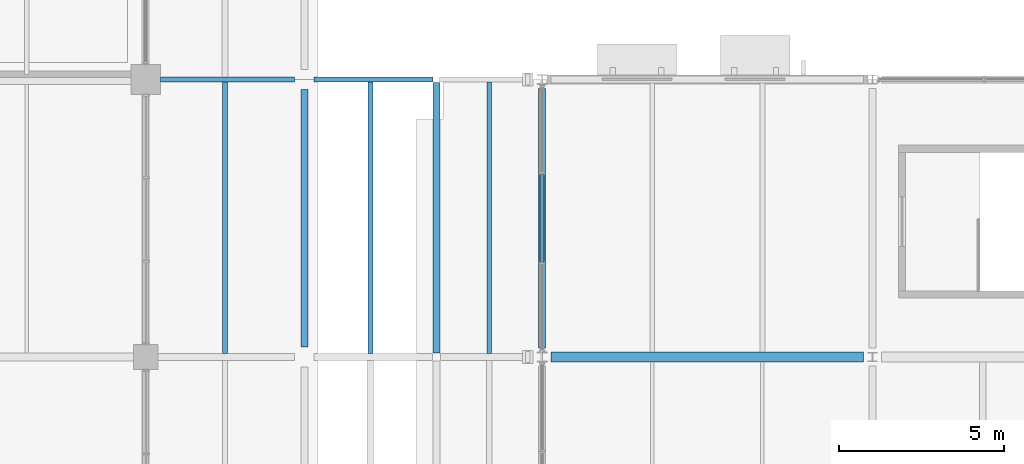
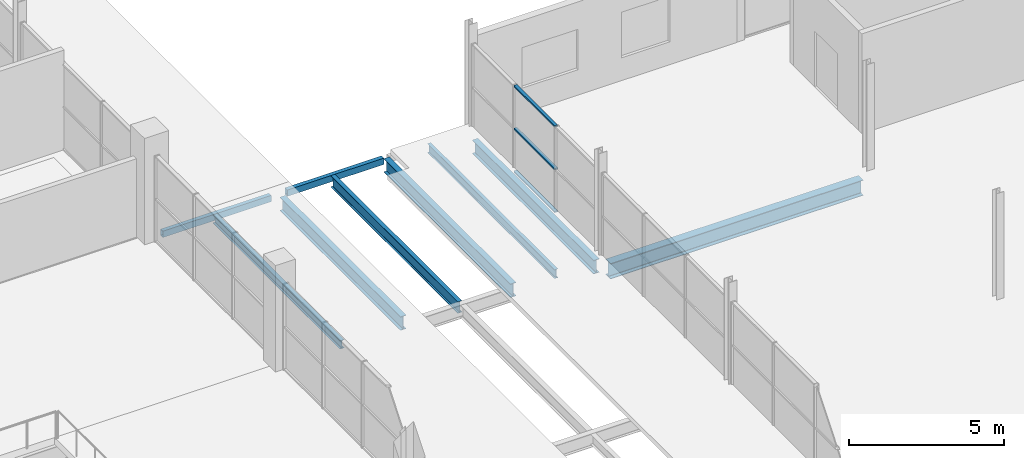
# One storey, part 114 of 161: 9 beams, 3 members, 1 element without a shape of its own.
"""IFC4 building model written with IfcOpenShell, lengths in metres."""

from ifc_helpers import new_model, si_unit, direction, frame, origin, origin_2d, place, context, subcontext, project, spatial, hollow_rectangle, i_section, extrude, material, material_profile, profile_set, type_object, element, aggregate, save


model = new_model("IFC4")

# Units and contexts
model_context = context("Model", 3, precision=1e-05, world=origin(), true_north=direction((0.0, 1.0)))
body_context = subcontext(model_context, "Body", "Model", "MODEL_VIEW")
ifc_project = project(units=[si_unit("LENGTHUNIT", "METRE"), si_unit("AREAUNIT", "SQUARE_METRE"), si_unit("VOLUMEUNIT", "CUBIC_METRE"), si_unit("PLANEANGLEUNIT", "RADIAN"), si_unit("MASSUNIT", "GRAM", prefix="KILO"), si_unit("THERMODYNAMICTEMPERATUREUNIT", "KELVIN")], contexts=[model_context])

# Site, building, storey
site_placement = place(None, origin())
site = spatial("IfcSite", under=ifc_project, at=site_placement, CompositionType="ELEMENT")
building_placement = place(site_placement, origin())
building = spatial("IfcBuilding", under=site, at=building_placement, Name="Nduvali Passage Aquatics Centre", CompositionType="ELEMENT")
storey_placement = place(building_placement, frame((0.0, 0.0, 4.800048828125)))
storey = spatial("IfcBuildingStorey", under=building, at=storey_placement, Name="L01", CompositionType="ELEMENT", Elevation=4.800048828125)

# Curtain wall, members
ifc_material_1 = material(Name="Aluminium EN AW-6063 T6", Category="aluminium")
curtain_wall_type = type_object("IfcCurtainWallType", Name="ENV-CW-FOYR", PredefinedType="NOTDEFINED", material=ifc_material_1)
curtain_wall_placement = place(storey_placement, origin())
curtain_wall = element("IfcCurtainWall", 1, at=curtain_wall_placement, inside=storey, type_object=curtain_wall_type, Name="L01 Passage Foyer End Upper CW 079", PredefinedType="NOTDEFINED")
ifc_material_profile_1 = material_profile(ifc_material_1, hollow_rectangle(XDim=0.1201171875, YDim=0.06005859375, WallThickness=0.00390625, at=origin_2d()), Name="ALU TRANSOM 120x60x4")
ifc_profile_set_1 = profile_set([ifc_material_profile_1], Name="Aluminium EN AW-6063 T6")
member_type = type_object("IfcMemberType", Name="ENV-MEM-TRN60", PredefinedType="USERDEFINED", material=ifc_profile_set_1)
member_1_placement = place(storey_placement, frame((138.0, 86.8798828125, 0.030029296875), z_axis=(0.0, 1.0, 0.0), x_axis=(-1.0, 0.0, 0.0)))
member_1 = element("IfcMember", 2, at=member_1_placement, type_object=member_type, Name="Passage Foyer End Upper CW Transom B2-R0", ObjectType="TRANSOM", PredefinedType="USERDEFINED", context=body_context, shape_type="SweptSolid", body=[
    extrude(hollow_rectangle(XDim=0.1201171875, YDim=0.06005859375, WallThickness=0.00390625, at=origin_2d()), origin(), (0.0, 0.0, 1.0), 2.64013671875),
])
member_2_placement = place(storey_placement, frame((138.0, 86.8798828125, 1.71826171875), z_axis=(0.0, 1.0, 0.0), x_axis=(-1.0, 0.0, 0.0)))
member_2 = element("IfcMember", 3, at=member_2_placement, type_object=member_type, Name="Passage Foyer End Upper CW Transom B2-R1", ObjectType="TRANSOM", PredefinedType="USERDEFINED", context=body_context, shape_type="SweptSolid", body=[
    extrude(hollow_rectangle(XDim=0.1201171875, YDim=0.06005859375, WallThickness=0.00390625, at=origin_2d()), origin(), (0.0, 0.0, 1.0), 2.64013671875),
])
member_3_placement = place(storey_placement, frame((138.0, 86.8798828125, 3.40625), z_axis=(0.0, 1.0, 0.0), x_axis=(-1.0, 0.0, 0.0)))
member_3 = element("IfcMember", 4, at=member_3_placement, type_object=member_type, Name="Passage Foyer End Upper CW Transom B2-R2", ObjectType="TRANSOM", PredefinedType="USERDEFINED", context=body_context, shape_type="SweptSolid", body=[
    extrude(hollow_rectangle(XDim=0.1201171875, YDim=0.06005859375, WallThickness=0.00390625, at=origin_2d()), origin(), (0.0, 0.0, 1.0), 2.64013671875),
])
aggregate(curtain_wall, [member_1, member_2, member_3])

# Beams
ifc_material_2 = material(Name="Steel S355", Category="steel")
ifc_material_profile_2 = material_profile(ifc_material_2, i_section(OverallWidth=0.210693359375, OverallDepth=0.53955078125, WebThickness=0.01171875, FlangeThickness=0.018798828125, FilletRadius=0.0126953125, at=origin_2d()), Name="UKB 533x210x109")
ifc_profile_set_2 = profile_set([ifc_material_profile_2], Name="Steel S355")
beam_type_1 = type_object("IfcBeamType", Name="STR-BM-UKB533", PredefinedType="BEAM", material=ifc_profile_set_2)
beam_1_placement = place(storey_placement, frame((130.800048828125, 84.300048828125, -0.273681640625), z_axis=(0.0, 1.0, 0.0), x_axis=(-1.0, 0.0, 0.0)))
element("IfcBeam", 5, at=beam_1_placement, inside=storey, type_object=beam_type_1, Name="L01 Primary Y-Girder B6-0646", PredefinedType="BEAM", context=body_context, shape_type="SweptSolid", body=[
    extrude(i_section(OverallWidth=0.210693359375, OverallDepth=0.53955078125, WebThickness=0.01171875, FlangeThickness=0.018798828125, FilletRadius=0.0126953125, at=origin_2d()), origin(), (0.0, 0.0, 1.0), 7.800048828125),
])
beam_2_placement = place(storey_placement, frame((134.800048828125, 84.122314453125, -0.273681640625), z_axis=(0.0, 1.0, 0.0), x_axis=(-1.0, 0.0, 0.0)))
element("IfcBeam", 6, at=beam_2_placement, inside=storey, type_object=beam_type_1, Name="L01 Primary Y-Girder B6-0657", PredefinedType="BEAM", context=body_context, shape_type="SweptSolid", body=[
    extrude(i_section(OverallWidth=0.210693359375, OverallDepth=0.53955078125, WebThickness=0.01171875, FlangeThickness=0.018798828125, FilletRadius=0.0126953125, at=origin_2d()), origin(), (0.0, 0.0, 1.0), 8.1806640625),
])
ifc_material_profile_3 = material_profile(ifc_material_2, i_section(OverallWidth=0.210693359375, OverallDepth=0.53955078125, WebThickness=0.01171875, FlangeThickness=0.018798828125, FilletRadius=0.0126953125, at=origin_2d()), Name="UKB 533x210x109")
ifc_profile_set_3 = profile_set([ifc_material_profile_3], Name="Steel S355")
beam_type_2 = type_object("IfcBeamType", Name="STR-BM-UKB533-EXT", PredefinedType="BEAM", material=ifc_profile_set_3)
beam_3_placement = place(storey_placement, frame((138.0, 84.27490234375, -0.553955078125), z_axis=(0.0, 1.0, 0.0), x_axis=(-1.0, 0.0, 0.0)))
element("IfcBeam", 7, at=beam_3_placement, inside=storey, type_object=beam_type_2, Name="L01 Primary Y-Girder B6E-0665", PredefinedType="BEAM", context=body_context, shape_type="SweptSolid", body=[
    extrude(i_section(OverallWidth=0.210693359375, OverallDepth=0.53955078125, WebThickness=0.01171875, FlangeThickness=0.018798828125, FilletRadius=0.0126953125, at=origin_2d()), origin(), (0.0, 0.0, 1.0), 7.85009765625),
])
ifc_material_profile_4 = material_profile(ifc_material_2, i_section(OverallWidth=0.3046875, OverallDepth=0.6123046875, WebThickness=0.01171875, FlangeThickness=0.019775390625, FilletRadius=0.0166015625, at=origin_2d()), Name="UKB 610x305x149")
ifc_profile_set_4 = profile_set([ifc_material_profile_4], Name="Steel S355")
beam_type_3 = type_object("IfcBeamType", Name="STR-BM-UKB610W", PredefinedType="BEAM", material=ifc_profile_set_4)
beam_4_placement = place(storey_placement, frame((138.27490234375, 84.0, -0.59033203125), z_axis=(1.0, 0.0, 0.0), x_axis=(0.0, 1.0, 0.0)))
element("IfcBeam", 8, at=beam_4_placement, inside=storey, type_object=beam_type_3, Name="L01 Primary X-Girder B5A-0521", PredefinedType="BEAM", context=body_context, shape_type="SweptSolid", body=[
    extrude(i_section(OverallWidth=0.3046875, OverallDepth=0.6123046875, WebThickness=0.01171875, FlangeThickness=0.019775390625, FilletRadius=0.0166015625, at=origin_2d()), origin(), (0.0, 0.0, 1.0), 9.4501953125),
])
ifc_material_profile_5 = material_profile(ifc_material_2, i_section(OverallWidth=0.159912109375, OverallDepth=0.330078125, WebThickness=0.007568359375, FlangeThickness=0.011474609375, FilletRadius=0.01806640625, at=origin_2d()), Name="IPE 330")
ifc_profile_set_5 = profile_set([ifc_material_profile_5], Name="Steel S355")
beam_type_4 = type_object("IfcBeamType", Name="STR-JST-IPE330", PredefinedType="JOIST", material=ifc_profile_set_5)
beam_5_placement = place(storey_placement, frame((128.39990234375, 84.10546875, -0.1689453125), z_axis=(0.0, 1.0, 0.0), x_axis=(-1.0, 0.0, 0.0)))
element("IfcBeam", 9, at=beam_5_placement, inside=storey, type_object=beam_type_4, Name="L01 Secondary Joist J6A-0810", PredefinedType="JOIST", context=body_context, shape_type="SweptSolid", body=[
    extrude(i_section(OverallWidth=0.159912109375, OverallDepth=0.330078125, WebThickness=0.007568359375, FlangeThickness=0.011474609375, FilletRadius=0.01806640625, at=origin_2d()), origin(), (0.0, 0.0, 1.0), 8.219482421875),
])
ifc_material_profile_6 = material_profile(ifc_material_2, i_section(OverallWidth=0.1259765625, OverallDepth=0.353515625, WebThickness=0.006591796875, FlangeThickness=0.0107421875, FilletRadius=0.01025390625, at=origin_2d()), Name="UKB 356x127x39")
ifc_profile_set_6 = profile_set([ifc_material_profile_6], Name="Steel S355")
beam_type_5 = type_object("IfcBeamType", Name="STR-JST-UKB356L", PredefinedType="JOIST", material=ifc_profile_set_6)
beam_6_placement = place(storey_placement, frame((136.39990234375, 84.10546875, -0.1806640625), z_axis=(0.0, 1.0, 0.0), x_axis=(-1.0, 0.0, 0.0)))
element("IfcBeam", 10, at=beam_6_placement, inside=storey, type_object=beam_type_5, Name="L01 Secondary Joist J2A-0812", PredefinedType="JOIST", context=body_context, shape_type="SweptSolid", body=[
    extrude(i_section(OverallWidth=0.1259765625, OverallDepth=0.353515625, WebThickness=0.006591796875, FlangeThickness=0.0107421875, FilletRadius=0.01025390625, at=origin_2d()), origin(), (0.0, 0.0, 1.0), 8.219482421875),
])
ifc_material_profile_7 = material_profile(ifc_material_2, i_section(OverallWidth=0.15283203125, OverallDepth=0.45458984375, WebThickness=0.008056640625, FlangeThickness=0.01318359375, FilletRadius=0.01025390625, at=origin_2d()), Name="UKB 457x152x60")
ifc_profile_set_7 = profile_set([ifc_material_profile_7], Name="Steel S355")
beam_type_6 = type_object("IfcBeamType", Name="STR-JST-UKB457L", PredefinedType="JOIST", material=ifc_profile_set_7)
beam_7_placement = place(storey_placement, frame((132.800048828125, 84.10546875, -0.2314453125), z_axis=(0.0, 1.0, 0.0), x_axis=(-1.0, 0.0, 0.0)))
element("IfcBeam", 11, at=beam_7_placement, inside=storey, type_object=beam_type_6, Name="L01 Secondary Joist J1A-0811", PredefinedType="JOIST", context=body_context, shape_type="SweptSolid", body=[
    extrude(i_section(OverallWidth=0.15283203125, OverallDepth=0.45458984375, WebThickness=0.008056640625, FlangeThickness=0.01318359375, FilletRadius=0.01025390625, at=origin_2d()), origin(), (0.0, 0.0, 1.0), 8.219482421875),
])
ifc_material_profile_8 = material_profile(ifc_material_2, hollow_rectangle(XDim=0.14990234375, YDim=0.25, WallThickness=0.008056640625, at=origin_2d()), Name="RHS 250x150x8.0")
ifc_profile_set_8 = profile_set([ifc_material_profile_8], Name="Steel S355")
beam_type_7 = type_object("IfcBeamType", Name="STR-SPN-RHS250-EXT", PredefinedType="SPANDREL", material=ifc_profile_set_8)
beam_8_placement = place(storey_placement, frame((126.449951171875, 92.39990234375, -0.129150390625), z_axis=(1.0, 0.0, 0.0), x_axis=(0.0, 1.0, 0.0)))
element("IfcBeam", 12, at=beam_8_placement, inside=storey, type_object=beam_type_7, Name="L01 Primary X-Girder SP2E-0531", PredefinedType="SPANDREL", context=body_context, shape_type="SweptSolid", body=[
    extrude(hollow_rectangle(XDim=0.14990234375, YDim=0.25, WallThickness=0.008056640625, at=origin_2d()), origin(), (0.0, 0.0, 1.0), 4.050048828125),
])
beam_9_placement = place(storey_placement, frame((131.10009765625, 92.39990234375, -0.129150390625), z_axis=(1.0, 0.0, 0.0), x_axis=(0.0, 1.0, 0.0)))
element("IfcBeam", 13, at=beam_9_placement, inside=storey, type_object=beam_type_7, Name="L01 Primary X-Girder SP2E-0532", PredefinedType="SPANDREL", context=body_context, shape_type="SweptSolid", body=[
    extrude(hollow_rectangle(XDim=0.14990234375, YDim=0.25, WallThickness=0.008056640625, at=origin_2d()), origin(), (0.0, 0.0, 1.0), 3.60302734375),
])

save(model, "model.ifc")
